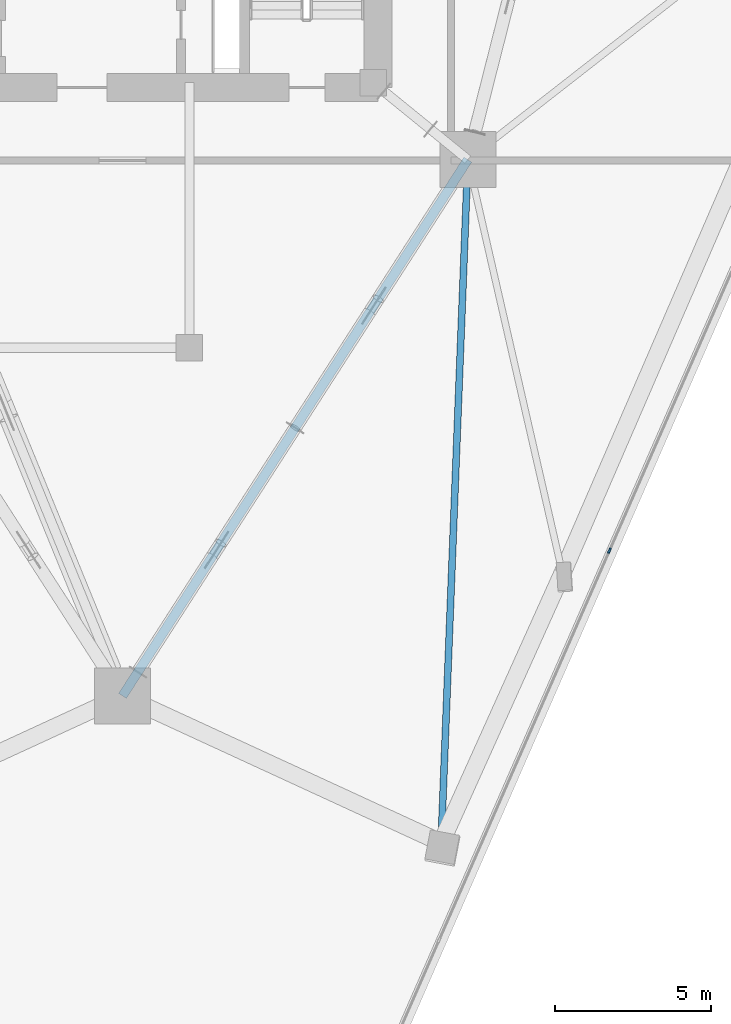
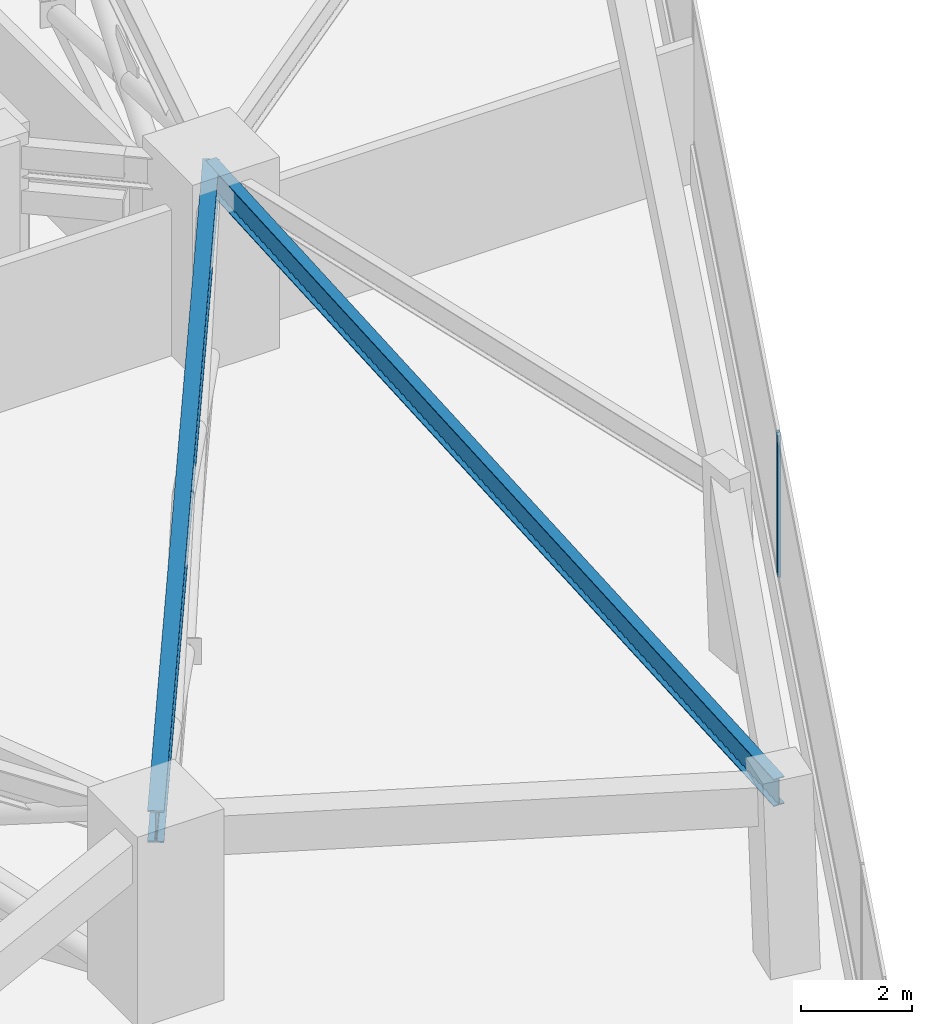
# One storey, part 5 of 20: 2 beams, 1 member, 1 element without a shape of its own.
"""IFC4 building model written with IfcOpenShell, lengths in metres."""

from ifc_helpers import new_model, si_unit, direction, frame, origin, origin_2d, place, context, subcontext, project, spatial, rectangle, i_section, extrude, material, layer, layer_set, material_profile, profile_set, type_object, element, aggregate, save


model = new_model("IFC4")

# Units and contexts
model_context = context("Model", 3, precision=1e-05, world=origin(), true_north=direction((0.0, 1.0)))
body_context = subcontext(model_context, "Body", "Model", "MODEL_VIEW")
ifc_project = project(units=[si_unit("LENGTHUNIT", "METRE"), si_unit("AREAUNIT", "SQUARE_METRE"), si_unit("VOLUMEUNIT", "CUBIC_METRE"), si_unit("PLANEANGLEUNIT", "RADIAN"), si_unit("MASSUNIT", "GRAM", prefix="KILO")], contexts=[model_context])

# Site, building, storey
site_placement = place(None, origin())
site = spatial("IfcSite", under=ifc_project, at=site_placement, CompositionType="ELEMENT")
building_placement = place(site_placement, origin())
building = spatial("IfcBuilding", under=site, at=building_placement, Name="Talyreon Biosciences Tower", CompositionType="ELEMENT")
storey_placement = place(building_placement, frame((0.0, 0.0, 70.800048828125)))
storey = spatial("IfcBuildingStorey", under=building, at=storey_placement, Name="L18", CompositionType="ELEMENT", Elevation=70.800048828125)

# Curtain wall, member
ifc_material_1 = material(Name="Thermally broken aluminium and low-E glazing", Category="aluminium")
ifc_layer = layer(ifc_material_1, 0.195068359375)
ifc_layer_set = layer_set([ifc_layer], Name="Thermally broken aluminium and low-E glazing")
curtain_wall_type = type_object("IfcCurtainWallType", Name="CurtainWall_Zone1WetLab", PredefinedType="NOTDEFINED", material=ifc_layer_set)
curtain_wall_placement = place(storey_placement, origin())
curtain_wall = element("IfcCurtainWall", 1, at=curtain_wall_placement, inside=storey, type_object=curtain_wall_type, Name="L18 Unitised Curtain Wall FCW-L18-08", PredefinedType="NOTDEFINED")
ifc_material_2 = material(Name="Anodised thermally broken aluminium", Category="aluminium")
ifc_material_profile_1 = material_profile(ifc_material_2, rectangle(XDim=0.06494140625, YDim=0.179931640625, at=origin_2d()), Name="ALUM MULLION 65x180")
ifc_profile_set_1 = profile_set([ifc_material_profile_1], Name="Anodised thermally broken aluminium")
member_type = type_object("IfcMemberType", Name="CWMullion_65x180", PredefinedType="MULLION", material=ifc_profile_set_1)
member_placement = place(storey_placement, frame((81.630615234375, 46.32763671875, 0.81005859375), z_axis=(0.0, 0.0, 1.0), x_axis=(0.916151953082, -0.400831135099, 0.0)))
member = element("IfcMember", 2, at=member_placement, type_object=member_type, Name="CW2 mullion 4", PredefinedType="MULLION", context=body_context, shape_type="SweptSolid", body=[
    extrude(rectangle(XDim=0.06494140625, YDim=0.179931640625, at=origin_2d()), origin(), (0.0, 0.0, 1.0), 3.114990234375),
])
aggregate(curtain_wall, [member])

# Beams
ifc_material_3 = material(Name="Steel SM355", Category="steel")
ifc_material_profile_2 = material_profile(ifc_material_3, i_section(OverallWidth=0.300048828125, OverallDepth=0.699951171875, WebThickness=0.01708984375, FlangeThickness=0.031982421875, FilletRadius=0.027099609375, at=origin_2d()), Name="HE700B")
ifc_profile_set_2 = profile_set([ifc_material_profile_2], Name="Steel SM355")
beam_type_1 = type_object("IfcBeamType", Name="SteelGirder_HE700B", PredefinedType="BEAM", material=ifc_profile_set_2)
beam_1_placement = place(storey_placement, frame((66.0, 41.6669921875, 3.574951171875), z_axis=(0.541463723609, 0.840724114092, 0.0), x_axis=(-0.840724114092, 0.541463723609, 0.0)))
element("IfcBeam", 3, at=beam_1_placement, inside=storey, type_object=beam_type_1, Name="L18 Mega-Ring Girder 1", PredefinedType="BEAM", context=body_context, shape_type="SweptSolid", body=[
    extrude(i_section(OverallWidth=0.300048828125, OverallDepth=0.699951171875, WebThickness=0.01708984375, FlangeThickness=0.031982421875, FilletRadius=0.027099609375, at=origin_2d()), origin(), (0.0, 0.0, 1.0), 20.474365234375),
])
ifc_material_profile_3 = material_profile(ifc_material_3, i_section(OverallWidth=0.219970703125, OverallDepth=0.60009765625, WebThickness=0.011962890625, FlangeThickness=0.01904296875, FilletRadius=0.02392578125, at=origin_2d()), Name="IPE600")
ifc_profile_set_3 = profile_set([ifc_material_profile_3], Name="Steel SM355")
beam_type_2 = type_object("IfcBeamType", Name="SteelJoist_IPE600", PredefinedType="JOIST", material=ifc_profile_set_3)
beam_2_placement = place(storey_placement, frame((77.086181640625, 58.88037109375, 3.625), z_axis=(-0.039051391049, -0.999237203499, 0.0), x_axis=(0.999237203499, -0.039051391049, 0.0)))
element("IfcBeam", 4, at=beam_2_placement, inside=storey, type_object=beam_type_2, Name="L18 Radial Composite Floor Joist PC-SE1", PredefinedType="JOIST", context=body_context, shape_type="SweptSolid", body=[
    extrude(i_section(OverallWidth=0.219970703125, OverallDepth=0.60009765625, WebThickness=0.011962890625, FlangeThickness=0.01904296875, FilletRadius=0.02392578125, at=origin_2d()), origin(), (0.0, 0.0, 1.0), 21.94384765625),
])

save(model, "model.ifc")
